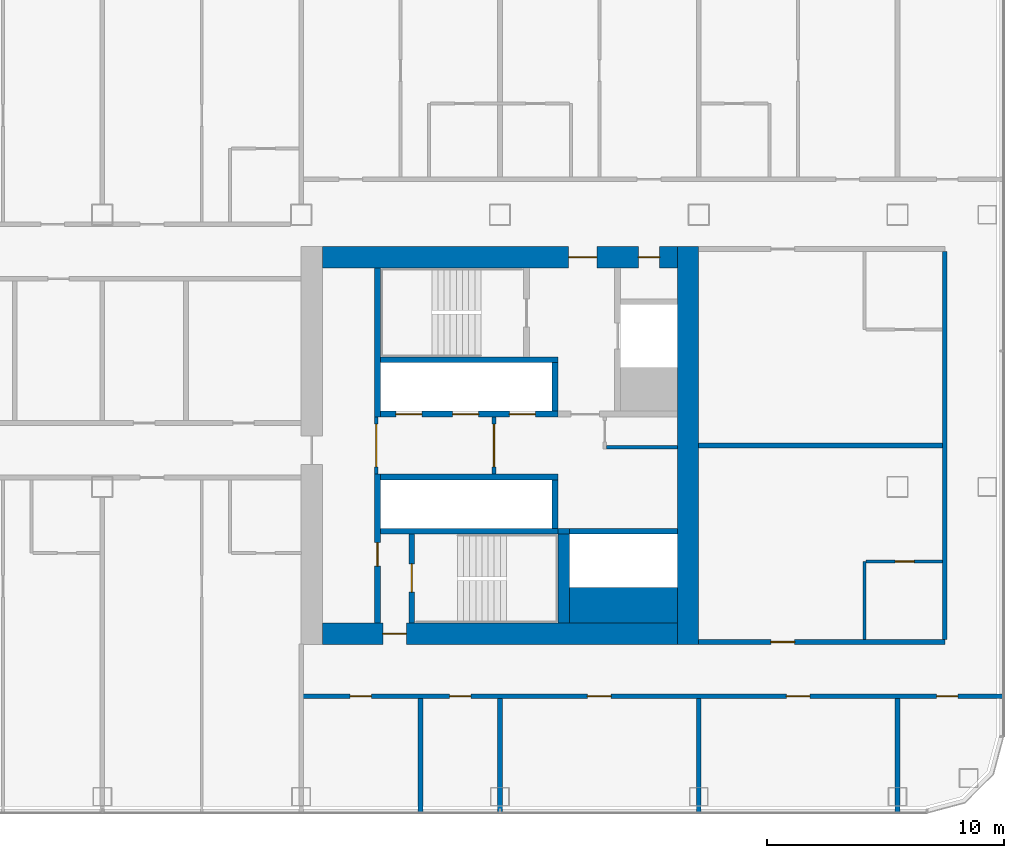
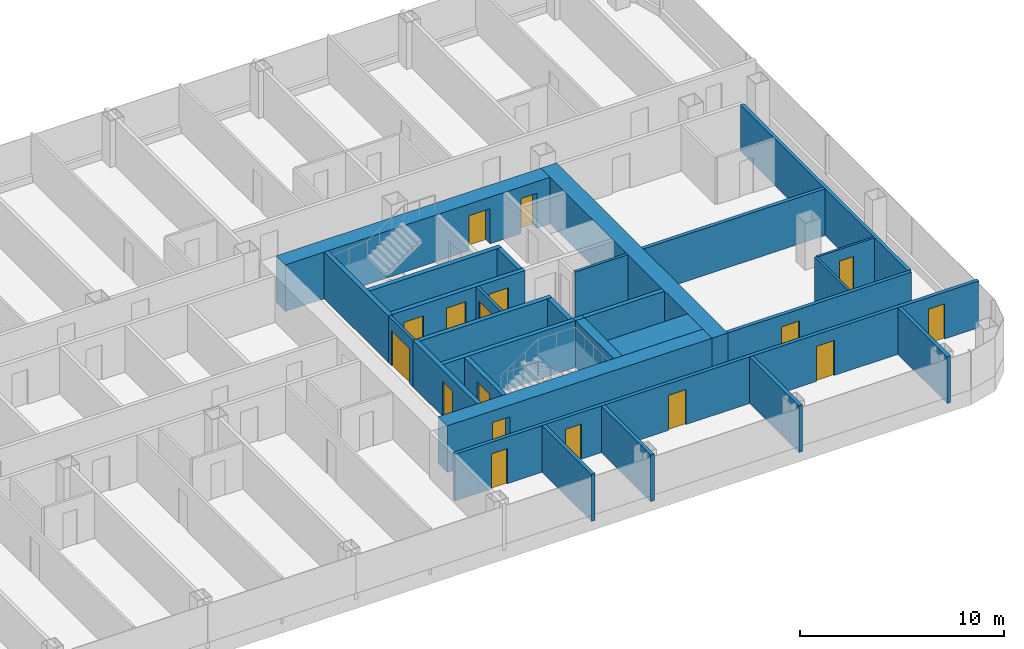
# One storey, part 19 of 29: 29 walls, 17 doors, 17 openings.
"""IFC4 building model written with IfcOpenShell, lengths in metres."""

from ifc_helpers import new_model, si_unit, direction, frame, frame_2d, origin, place, context, subcontext, project, spatial, rectangle, extrude, material, layer, layer_set, type_object, element, fill, save


model = new_model("IFC4")

# Units and contexts
model_context = context("Model", 3, precision=1e-05, world=origin(), true_north=direction((0.0, 1.0)))
body_context = subcontext(model_context, "Body", "Model", "MODEL_VIEW")
ifc_project = project(units=[si_unit("LENGTHUNIT", "METRE"), si_unit("AREAUNIT", "SQUARE_METRE"), si_unit("VOLUMEUNIT", "CUBIC_METRE"), si_unit("PLANEANGLEUNIT", "RADIAN"), si_unit("MASSUNIT", "GRAM", prefix="KILO")], contexts=[model_context])

# Site, building, storey
site_placement = place(None, origin())
site = spatial("IfcSite", under=ifc_project, at=site_placement, CompositionType="ELEMENT")
building_placement = place(site_placement, origin())
building = spatial("IfcBuilding", under=site, at=building_placement, Name="Hakoniwa Tower and Hamabe Station Hall", CompositionType="ELEMENT")
storey_placement = place(building_placement, frame((0.0, 0.0, 104.199951171875)))
storey = spatial("IfcBuildingStorey", under=building, at=storey_placement, Name="L29", CompositionType="ELEMENT", Elevation=104.199951171875)

# Wall, opening, door
ifc_material_1 = material(Name="Gypsum board partition", Category="gypsum")
ifc_layer_1 = layer(ifc_material_1, 0.125)
ifc_layer_set_1 = layer_set([ifc_layer_1], Name="Bathroom Partition 125")
wall_type_1 = type_object("IfcWallType", Name="Bathroom Partition 125", PredefinedType="PARTITIONING", material=ifc_layer_set_1)
wall_1_placement = place(storey_placement, frame((40.66259765625, -4.89990234375, 0.0), z_axis=(0.0, 0.0, 1.0), x_axis=(1.0, 0.0, 0.0)))
wall_1 = element("IfcWall", 1, at=wall_1_placement, inside=storey, type_object=wall_type_1, Name="GW-L29-006", PredefinedType="PARTITIONING", context=body_context, shape_type="SweptSolid", body=[
    extrude(rectangle(XDim=3.2373046875, YDim=0.125, at=frame_2d((1.61865234375, 0.0))), origin(), (0.0, 0.0, 1.0), 2.800048828125),
])
opening_1_placement = place(wall_1_placement, frame((1.237548828125, 0.0, 0.0)))
opening_1 = element("IfcOpeningElement", 2, at=opening_1_placement, cuts=wall_1, Name="Opening GD-G2E1-15", PredefinedType="OPENING", context=body_context, shape_type="SweptSolid", body=[
    extrude(rectangle(XDim=0.800048828125, YDim=2.10009765625, at=frame_2d((0.39990234375, 1.050048828125))), frame((0.0, 0.072509765625, 0.0), z_axis=(0.0, -1.0, 0.0), x_axis=(1.0, 0.0, 0.0)), (0.0, 0.0, 1.0), 0.14501953125),
])
ifc_material_2 = material(Name="Timber door leaf", Category="wood")
door_type_1 = type_object("IfcDoorType", Name="Bathroom Door 800", OperationType="SINGLE_SWING_LEFT", PredefinedType="DOOR", material=ifc_material_2)
door_1_placement = place(opening_1_placement, origin())
door_1 = element("IfcDoor", 3, at=door_1_placement, inside=storey, type_object=door_type_1, Name="Door GD-G2E1-15", OperationType="SINGLE_SWING_RIGHT", OverallHeight=2.10009765625, OverallWidth=0.800048828125, PredefinedType="DOOR", context=body_context, shape_type="SweptSolid", body=[
    extrude(rectangle(XDim=0.800048828125, YDim=2.10009765625, at=frame_2d((0.39990234375, 1.050048828125))), frame((0.0, 0.02490234375, 0.0), z_axis=(0.0, -1.0, 0.0), x_axis=(1.0, 0.0, 0.0)), (0.0, 0.0, 1.0), 0.050048828125),
])
fill(opening_1, door_1)

# Wall
wall_2_placement = place(storey_placement, frame((40.60009765625, -8.199951171875, 0.0), z_axis=(0.0, 0.0, 1.0), x_axis=(0.0, 1.0, 0.0)))
element("IfcWall", 4, at=wall_2_placement, inside=storey, type_object=wall_type_1, Name="GW-L29-087", PredefinedType="PARTITIONING", context=body_context, shape_type="SweptSolid", body=[
    extrude(rectangle(XDim=3.300048828125, YDim=0.125, at=frame_2d((1.64990234375, 0.0))), origin(), (0.0, 0.0, 1.0), 2.800048828125),
])

# Wall, opening, door
ifc_material_3 = material(Name="Gypsum board partition")
ifc_layer_2 = layer(ifc_material_3, 0.14990234375)
ifc_layer_set_2 = layer_set([ifc_layer_2], Name="CORE PARTITION 150 EI 60")
wall_type_2 = type_object("IfcWallType", Name="CORE PARTITION 150 EI 60", PredefinedType="PARTITIONING", material=ifc_layer_set_2)
wall_3_placement = place(storey_placement, frame((19.97509765625, -1.199951171875, 0.0), z_axis=(0.0, 0.0, 1.0), x_axis=(0.0, 1.0, 0.0)))
wall_3 = element("IfcWall", 5, at=wall_3_placement, inside=storey, type_object=wall_type_2, Name="Core partition PL0 east", PredefinedType="PARTITIONING", context=body_context, shape_type="SweptSolid", body=[
    extrude(rectangle(XDim=2.39990234375, YDim=0.14990234375, at=frame_2d((1.199951171875, 0.0))), origin(), (0.0, 0.0, 1.0), 2.800048828125),
])
opening_2_placement = place(wall_3_placement, frame((0.300048828125, 0.0, 0.0)))
opening_2 = element("IfcOpeningElement", 6, at=opening_2_placement, cuts=wall_3, Name="Opening CD-E-LP0-18", PredefinedType="OPENING", context=body_context, shape_type="SweptSolid", body=[
    extrude(rectangle(XDim=1.800048828125, YDim=2.10009765625, at=frame_2d((0.89990234375, 1.050048828125))), frame((0.0, 0.0849609375, 0.0), z_axis=(0.0, -1.0, 0.0), x_axis=(1.0, 0.0, 0.0)), (0.0, 0.0, 1.0), 0.169921875),
])
ifc_material_4 = material(Name="Steel fire door", Category="steel")
door_type_2 = type_object("IfcDoorType", Name="CORE DOOR 1800 FD60", OperationType="DOUBLE_DOOR_SINGLE_SWING", PredefinedType="DOOR", material=ifc_material_4)
door_2_placement = place(opening_2_placement, origin())
door_2 = element("IfcDoor", 7, at=door_2_placement, inside=storey, type_object=door_type_2, Name="Lift lobby partition door", OperationType="DOUBLE_DOOR_SINGLE_SWING", OverallHeight=2.10009765625, OverallWidth=1.800048828125, PredefinedType="DOOR", context=body_context, shape_type="SweptSolid", body=[
    extrude(rectangle(XDim=1.800048828125, YDim=2.10009765625, at=frame_2d((0.89990234375, 1.050048828125))), frame((0.0, 0.02490234375, 0.0), z_axis=(0.0, -1.0, 0.0), x_axis=(1.0, 0.0, 0.0)), (0.0, 0.0, 1.0), 0.050048828125),
])
fill(opening_2, door_2)

wall_4_placement = place(storey_placement, frame((24.949951171875, -1.199951171875, 0.0), z_axis=(0.0, 0.0, 1.0), x_axis=(0.0, 1.0, 0.0)))
wall_4 = element("IfcWall", 8, at=wall_4_placement, inside=storey, type_object=wall_type_2, Name="Core partition PL1 east", PredefinedType="PARTITIONING", context=body_context, shape_type="SweptSolid", body=[
    extrude(rectangle(XDim=2.39990234375, YDim=0.14990234375, at=frame_2d((1.199951171875, 0.0))), origin(), (0.0, 0.0, 1.0), 2.800048828125),
])
opening_3_placement = place(wall_4_placement, frame((0.300048828125, 0.0, 0.0)))
opening_3 = element("IfcOpeningElement", 9, at=opening_3_placement, cuts=wall_4, Name="Opening CD-E-LP1-18", PredefinedType="OPENING", context=body_context, shape_type="SweptSolid", body=[
    extrude(rectangle(XDim=1.800048828125, YDim=2.10009765625, at=frame_2d((0.89990234375, 1.050048828125))), frame((0.0, 0.0849609375, 0.0), z_axis=(0.0, -1.0, 0.0), x_axis=(1.0, 0.0, 0.0)), (0.0, 0.0, 1.0), 0.169921875),
])
door_3_placement = place(opening_3_placement, origin())
door_3 = element("IfcDoor", 10, at=door_3_placement, inside=storey, type_object=door_type_2, Name="Lift lobby partition door", OperationType="DOUBLE_DOOR_SINGLE_SWING", OverallHeight=2.10009765625, OverallWidth=1.800048828125, PredefinedType="DOOR", context=body_context, shape_type="SweptSolid", body=[
    extrude(rectangle(XDim=1.800048828125, YDim=2.10009765625, at=frame_2d((0.89990234375, 1.050048828125))), frame((0.0, 0.02490234375, 0.0), z_axis=(0.0, -1.0, 0.0), x_axis=(1.0, 0.0, 0.0)), (0.0, 0.0, 1.0), 0.050048828125),
])
fill(opening_3, door_3)

# Walls
wall_5_placement = place(storey_placement, frame((29.699951171875, -0.074951171875, 0.0), z_axis=(0.0, 0.0, 1.0), x_axis=(1.0, 0.0, 0.0)))
element("IfcWall", 11, at=wall_5_placement, inside=storey, type_object=wall_type_2, Name="Core partition PS east", PredefinedType="PARTITIONING", context=body_context, shape_type="SweptSolid", body=[
    extrude(rectangle(XDim=3.0, YDim=0.14990234375, at=frame_2d((1.5, 0.0))), origin(), (0.0, 0.0, 1.0), 2.800048828125),
])
ifc_material_5 = material(Name="Concrete C72", Category="concrete")
ifc_layer_3 = layer(ifc_material_5, 0.89990234375)
ifc_layer_set_3 = layer_set([ifc_layer_3], Name="CORE WALL 900 C72")
wall_type_3 = type_object("IfcWallType", Name="CORE WALL 900 C72", PredefinedType="SHEAR", material=ifc_layer_set_3)
wall_6_placement = place(storey_placement, frame((33.14990234375, -8.39990234375, 0.0), z_axis=(0.0, 0.0, 1.0), x_axis=(0.0, 1.0, 0.0)))
element("IfcWall", 12, at=wall_6_placement, inside=storey, type_object=wall_type_3, Name="Core wall OUTER east", PredefinedType="SHEAR", context=body_context, shape_type="SweptSolid", body=[
    extrude(rectangle(XDim=16.7998046875, YDim=0.89990234375, at=frame_2d((8.39990234375, 0.0))), origin(), (0.0, 0.0, 1.0), 2.800048828125),
])

# Wall, openings, doors
wall_7_placement = place(storey_placement, frame((17.699951171875, 7.949951171875, 0.0), z_axis=(0.0, 0.0, 1.0), x_axis=(1.0, 0.0, 0.0)))
wall_7 = element("IfcWall", 13, at=wall_7_placement, inside=storey, type_object=wall_type_3, Name="Core wall NORTH east", PredefinedType="SHEAR", context=body_context, shape_type="SweptSolid", body=[
    extrude(rectangle(XDim=15.0, YDim=0.89990234375, at=frame_2d((7.5, 0.0))), origin(), (0.0, 0.0, 1.0), 2.800048828125),
])
opening_4_placement = place(wall_7_placement, frame((10.39990234375, 0.0, 0.0)))
opening_4 = element("IfcOpeningElement", 14, at=opening_4_placement, cuts=wall_7, Name="Opening CD-E-FN1-12", PredefinedType="OPENING", context=body_context, shape_type="SweptSolid", body=[
    extrude(rectangle(XDim=1.199951171875, YDim=2.10009765625, at=frame_2d((0.60009765625, 1.050048828125))), frame((0.0, 0.4599609375, 0.0), z_axis=(0.0, -1.0, 0.0), x_axis=(1.0, 0.0, 0.0)), (0.0, 0.0, 1.0), 0.919921875),
])
opening_5_placement = place(wall_7_placement, frame((13.35009765625, 0.0, 0.0)))
opening_5 = element("IfcOpeningElement", 15, at=opening_5_placement, cuts=wall_7, Name="Opening CD-E-FN2-9", PredefinedType="OPENING", context=body_context, shape_type="SweptSolid", body=[
    extrude(rectangle(XDim=0.89990234375, YDim=2.10009765625, at=frame_2d((0.449951171875, 1.050048828125))), frame((0.0, 0.4599609375, 0.0), z_axis=(0.0, -1.0, 0.0), x_axis=(1.0, 0.0, 0.0)), (0.0, 0.0, 1.0), 0.919921875),
])
ifc_material_6 = material(Name="Steel fire door", Category="steel")
door_type_3 = type_object("IfcDoorType", Name="CORE DOOR 1200 FD60", OperationType="DOUBLE_DOOR_SINGLE_SWING", PredefinedType="DOOR", material=ifc_material_6)
door_4_placement = place(opening_4_placement, origin())
door_4 = element("IfcDoor", 16, at=door_4_placement, inside=storey, type_object=door_type_3, Name="Stair vestibule door to the fire-fighting lobby", OperationType="DOUBLE_DOOR_SINGLE_SWING", OverallHeight=2.10009765625, OverallWidth=1.199951171875, PredefinedType="DOOR", context=body_context, shape_type="SweptSolid", body=[
    extrude(rectangle(XDim=1.199951171875, YDim=2.10009765625, at=frame_2d((0.60009765625, 1.050048828125))), frame((0.0, 0.02490234375, 0.0), z_axis=(0.0, -1.0, 0.0), x_axis=(1.0, 0.0, 0.0)), (0.0, 0.0, 1.0), 0.050048828125),
])
fill(opening_4, door_4)
ifc_material_7 = material(Name="Steel fire door", Category="steel")
door_type_4 = type_object("IfcDoorType", Name="CORE DOOR 900 FD30", OperationType="NOTDEFINED", PredefinedType="DOOR", material=ifc_material_7)
door_5_placement = place(opening_5_placement, origin())
door_5 = element("IfcDoor", 17, at=door_5_placement, inside=storey, type_object=door_type_4, Name="Riser access door", OperationType="SINGLE_SWING_RIGHT", OverallHeight=2.10009765625, OverallWidth=0.89990234375, PredefinedType="DOOR", context=body_context, shape_type="SweptSolid", body=[
    extrude(rectangle(XDim=0.89990234375, YDim=2.10009765625, at=frame_2d((0.449951171875, 1.050048828125))), frame((0.0, 0.02490234375, 0.0), z_axis=(0.0, -1.0, 0.0), x_axis=(1.0, 0.0, 0.0)), (0.0, 0.0, 1.0), 0.050048828125),
])
fill(opening_5, door_5)

# Wall, opening, door
wall_8_placement = place(storey_placement, frame((17.699951171875, -7.949951171875, 0.0), z_axis=(0.0, 0.0, 1.0), x_axis=(1.0, 0.0, 0.0)))
wall_8 = element("IfcWall", 18, at=wall_8_placement, inside=storey, type_object=wall_type_3, Name="Core wall SOUTH east", PredefinedType="SHEAR", context=body_context, shape_type="SweptSolid", body=[
    extrude(rectangle(XDim=15.0, YDim=0.89990234375, at=frame_2d((7.5, 0.0))), origin(), (0.0, 0.0, 1.0), 2.800048828125),
])
opening_6_placement = place(wall_8_placement, frame((2.550048828125, 0.0, 0.0)))
opening_6 = element("IfcOpeningElement", 19, at=opening_6_placement, cuts=wall_8, Name="Opening CD-E-FS3-10", PredefinedType="OPENING", context=body_context, shape_type="SweptSolid", body=[
    extrude(rectangle(XDim=1.0, YDim=2.10009765625, at=frame_2d((0.5, 1.050048828125))), frame((0.0, 0.4599609375, 0.0), z_axis=(0.0, -1.0, 0.0), x_axis=(1.0, 0.0, 0.0)), (0.0, 0.0, 1.0), 0.919921875),
])
ifc_material_8 = material(Name="Steel fire door", Category="steel")
door_type_5 = type_object("IfcDoorType", Name="CORE DOOR 1000 FD60", OperationType="NOTDEFINED", PredefinedType="DOOR", material=ifc_material_8)
door_6_placement = place(opening_6_placement, origin())
door_6 = element("IfcDoor", 20, at=door_6_placement, inside=storey, type_object=door_type_5, Name="Stair vestibule door", OperationType="SINGLE_SWING_LEFT", OverallHeight=2.10009765625, OverallWidth=1.0, PredefinedType="DOOR", context=body_context, shape_type="SweptSolid", body=[
    extrude(rectangle(XDim=1.0, YDim=2.10009765625, at=frame_2d((0.5, 1.050048828125))), frame((0.0, 0.02490234375, 0.0), z_axis=(0.0, -1.0, 0.0), x_axis=(1.0, 0.0, 0.0)), (0.0, 0.0, 1.0), 0.050048828125),
])
fill(opening_6, door_6)

# Walls
ifc_material_9 = material(Name="Concrete C72", Category="concrete")
ifc_layer_4 = layer(ifc_material_9, 1.5)
ifc_layer_set_4 = layer_set([ifc_layer_4], Name="CORE WEB WALL 1500 C72")
wall_type_4 = type_object("IfcWallType", Name="CORE WEB WALL 1500 C72", PredefinedType="SHEAR", material=ifc_layer_set_4)
wall_9_placement = place(storey_placement, frame((28.14990234375, -6.75, 0.0), z_axis=(0.0, 0.0, 1.0), x_axis=(1.0, 0.0, 0.0)))
element("IfcWall", 21, at=wall_9_placement, inside=storey, type_object=wall_type_4, Name="Core wall SER east", PredefinedType="SHEAR", context=body_context, shape_type="SweptSolid", body=[
    extrude(rectangle(XDim=4.550048828125, YDim=1.5, at=frame_2d((2.27490234375, 0.0))), origin(), (0.0, 0.0, 1.0), 2.800048828125),
])
ifc_material_10 = material(Name="Concrete C72", Category="concrete")
ifc_layer_5 = layer(ifc_material_10, 0.25)
ifc_layer_set_5 = layer_set([ifc_layer_5], Name="CORE WEB WALL 250 C72")
wall_type_5 = type_object("IfcWallType", Name="CORE WEB WALL 250 C72", PredefinedType="SHEAR", material=ifc_layer_set_5)
wall_10_placement = place(storey_placement, frame((20.02490234375, 1.199951171875, 0.0), z_axis=(0.0, 0.0, 1.0), x_axis=(0.0, 1.0, 0.0)))
element("IfcWall", 22, at=wall_10_placement, inside=storey, type_object=wall_type_5, Name="Core wall W1N east", PredefinedType="SHEAR", context=body_context, shape_type="SweptSolid", body=[
    extrude(rectangle(XDim=6.300048828125, YDim=0.25, at=frame_2d((3.14990234375, 0.0))), origin(), (0.0, 0.0, 1.0), 2.800048828125),
])

# Wall, opening, door
wall_11_placement = place(storey_placement, frame((20.02490234375, -7.5, 0.0), z_axis=(0.0, 0.0, 1.0), x_axis=(0.0, 1.0, 0.0)))
wall_11 = element("IfcWall", 23, at=wall_11_placement, inside=storey, type_object=wall_type_5, Name="Core wall W1S east", PredefinedType="SHEAR", context=body_context, shape_type="SweptSolid", body=[
    extrude(rectangle(XDim=6.300048828125, YDim=0.25, at=frame_2d((3.14990234375, 0.0))), origin(), (0.0, 0.0, 1.0), 2.800048828125),
])
opening_7_placement = place(wall_11_placement, frame((2.39990234375, 0.0, 0.0)))
opening_7 = element("IfcOpeningElement", 24, at=opening_7_placement, cuts=wall_11, Name="Opening CD-E-VS-10", PredefinedType="OPENING", context=body_context, shape_type="SweptSolid", body=[
    extrude(rectangle(XDim=1.0, YDim=2.10009765625, at=frame_2d((0.5, 1.050048828125))), frame((0.0, 0.135009765625, 0.0), z_axis=(0.0, -1.0, 0.0), x_axis=(1.0, 0.0, 0.0)), (0.0, 0.0, 1.0), 0.27001953125),
])
door_7_placement = place(opening_7_placement, origin())
door_7 = element("IfcDoor", 25, at=door_7_placement, inside=storey, type_object=door_type_5, Name="Stair vestibule door", OperationType="SINGLE_SWING_RIGHT", OverallHeight=2.10009765625, OverallWidth=1.0, PredefinedType="DOOR", context=body_context, shape_type="SweptSolid", body=[
    extrude(rectangle(XDim=1.0, YDim=2.10009765625, at=frame_2d((0.5, 1.050048828125))), frame((0.0, 0.02490234375, 0.0), z_axis=(0.0, -1.0, 0.0), x_axis=(1.0, 0.0, 0.0)), (0.0, 0.0, 1.0), 0.050048828125),
])
fill(opening_7, door_7)

# Wall, openings, doors
wall_12_placement = place(storey_placement, frame((20.14990234375, 1.324951171875, 0.0), z_axis=(0.0, 0.0, 1.0), x_axis=(1.0, 0.0, 0.0)))
wall_12 = element("IfcWall", 26, at=wall_12_placement, inside=storey, type_object=wall_type_5, Name="Core wall NF east", PredefinedType="SHEAR", context=body_context, shape_type="SweptSolid", body=[
    extrude(rectangle(XDim=7.5, YDim=0.25, at=frame_2d((3.75, 0.0))), origin(), (0.0, 0.0, 1.0), 2.800048828125),
])
opening_8_placement = place(wall_12_placement, frame((0.64990234375, 0.0, 0.0)))
opening_8 = element("IfcOpeningElement", 27, at=opening_8_placement, cuts=wall_12, Name="Opening LD-LR4", PredefinedType="OPENING", context=body_context, shape_type="SweptSolid", body=[
    extrude(rectangle(XDim=1.10009765625, YDim=2.10009765625, at=frame_2d((0.550048828125, 1.050048828125))), frame((0.0, 0.135009765625, 0.0), z_axis=(0.0, -1.0, 0.0), x_axis=(1.0, 0.0, 0.0)), (0.0, 0.0, 1.0), 0.27001953125),
])
opening_9_placement = place(wall_12_placement, frame((3.050048828125, 0.0, 0.0)))
opening_9 = element("IfcOpeningElement", 28, at=opening_9_placement, cuts=wall_12, Name="Opening LD-LR5", PredefinedType="OPENING", context=body_context, shape_type="SweptSolid", body=[
    extrude(rectangle(XDim=1.10009765625, YDim=2.10009765625, at=frame_2d((0.550048828125, 1.050048828125))), frame((0.0, 0.135009765625, 0.0), z_axis=(0.0, -1.0, 0.0), x_axis=(1.0, 0.0, 0.0)), (0.0, 0.0, 1.0), 0.27001953125),
])
opening_10_placement = place(wall_12_placement, frame((5.449951171875, 0.0, 0.0)))
opening_10 = element("IfcOpeningElement", 29, at=opening_10_placement, cuts=wall_12, Name="Opening LD-LR6", PredefinedType="OPENING", context=body_context, shape_type="SweptSolid", body=[
    extrude(rectangle(XDim=1.10009765625, YDim=2.10009765625, at=frame_2d((0.550048828125, 1.050048828125))), frame((0.0, 0.135009765625, 0.0), z_axis=(0.0, -1.0, 0.0), x_axis=(1.0, 0.0, 0.0)), (0.0, 0.0, 1.0), 0.27001953125),
])
ifc_material_11 = material(Name="Stainless steel SUS304", Category="steel")
door_type_6 = type_object("IfcDoorType", Name="LIFT LANDING DOOR 1100 FD60", OperationType="DOUBLE_DOOR_SLIDING", PredefinedType="DOOR", material=ifc_material_11)
door_8_placement = place(opening_8_placement, origin())
door_8 = element("IfcDoor", 30, at=door_8_placement, inside=storey, type_object=door_type_6, Name="Lift landing door LR4 L29", OperationType="DOUBLE_DOOR_SLIDING", OverallHeight=2.10009765625, OverallWidth=1.10009765625, PredefinedType="DOOR", context=body_context, shape_type="SweptSolid", body=[
    extrude(rectangle(XDim=1.10009765625, YDim=2.10009765625, at=frame_2d((0.550048828125, 1.050048828125))), frame((0.0, 0.02490234375, 0.0), z_axis=(0.0, -1.0, 0.0), x_axis=(1.0, 0.0, 0.0)), (0.0, 0.0, 1.0), 0.050048828125),
])
fill(opening_8, door_8)
door_9_placement = place(opening_9_placement, origin())
door_9 = element("IfcDoor", 31, at=door_9_placement, inside=storey, type_object=door_type_6, Name="Lift landing door LR5 L29", OperationType="DOUBLE_DOOR_SLIDING", OverallHeight=2.10009765625, OverallWidth=1.10009765625, PredefinedType="DOOR", context=body_context, shape_type="SweptSolid", body=[
    extrude(rectangle(XDim=1.10009765625, YDim=2.10009765625, at=frame_2d((0.550048828125, 1.050048828125))), frame((0.0, 0.02490234375, 0.0), z_axis=(0.0, -1.0, 0.0), x_axis=(1.0, 0.0, 0.0)), (0.0, 0.0, 1.0), 0.050048828125),
])
fill(opening_9, door_9)
door_10_placement = place(opening_10_placement, origin())
door_10 = element("IfcDoor", 32, at=door_10_placement, inside=storey, type_object=door_type_6, Name="Lift landing door LR6 L29", OperationType="DOUBLE_DOOR_SLIDING", OverallHeight=2.10009765625, OverallWidth=1.10009765625, PredefinedType="DOOR", context=body_context, shape_type="SweptSolid", body=[
    extrude(rectangle(XDim=1.10009765625, YDim=2.10009765625, at=frame_2d((0.550048828125, 1.050048828125))), frame((0.0, 0.02490234375, 0.0), z_axis=(0.0, -1.0, 0.0), x_axis=(1.0, 0.0, 0.0)), (0.0, 0.0, 1.0), 0.050048828125),
])
fill(opening_10, door_10)

# Walls
wall_13_placement = place(storey_placement, frame((27.52490234375, 1.449951171875, 0.0), z_axis=(0.0, 0.0, 1.0), x_axis=(0.0, 1.0, 0.0)))
element("IfcWall", 33, at=wall_13_placement, inside=storey, type_object=wall_type_5, Name="Core wall NE east", PredefinedType="SHEAR", context=body_context, shape_type="SweptSolid", body=[
    extrude(rectangle(XDim=2.050048828125, YDim=0.25, at=frame_2d((1.02490234375, 0.0))), origin(), (0.0, 0.0, 1.0), 2.800048828125),
])
for number, where, z_axis, x_axis, name in (
    (34, (20.14990234375, 3.625, 0.0), (0.0, 0.0, 1.0), (1.0, 0.0, 0.0), "Core wall NR east"),
    (35, (20.14990234375, -1.324951171875, 0.0), (0.0, 0.0, 1.0), (1.0, 0.0, 0.0), "Core wall SF east"),
):
    element("IfcWall", number, at=place(storey_placement, frame(where, z_axis=z_axis, x_axis=x_axis)), inside=storey, type_object=wall_type_5, Name=name, PredefinedType="SHEAR", context=body_context, shape_type="SweptSolid", body=[
        extrude(rectangle(XDim=7.5, YDim=0.25, at=frame_2d((3.75, 0.0))), origin(), (0.0, 0.0, 1.0), 2.800048828125),
    ])
wall_14_placement = place(storey_placement, frame((27.52490234375, -3.5, 0.0), z_axis=(0.0, 0.0, 1.0), x_axis=(0.0, 1.0, 0.0)))
element("IfcWall", 36, at=wall_14_placement, inside=storey, type_object=wall_type_5, Name="Core wall SE east", PredefinedType="SHEAR", context=body_context, shape_type="SweptSolid", body=[
    extrude(rectangle(XDim=2.050048828125, YDim=0.25, at=frame_2d((1.02490234375, 0.0))), origin(), (0.0, 0.0, 1.0), 2.800048828125),
])
wall_15_placement = place(storey_placement, frame((20.14990234375, -3.625, 0.0), z_axis=(0.0, 0.0, 1.0), x_axis=(1.0, 0.0, 0.0)))
element("IfcWall", 37, at=wall_15_placement, inside=storey, type_object=wall_type_5, Name="Core wall SR east", PredefinedType="SHEAR", context=body_context, shape_type="SweptSolid", body=[
    extrude(rectangle(XDim=7.5, YDim=0.25, at=frame_2d((3.75, 0.0))), origin(), (0.0, 0.0, 1.0), 2.800048828125),
])

# Wall, opening, door
wall_16_placement = place(storey_placement, frame((21.47509765625, -7.5, 0.0), z_axis=(0.0, 0.0, 1.0), x_axis=(0.0, 1.0, 0.0)))
wall_16 = element("IfcWall", 38, at=wall_16_placement, inside=storey, type_object=wall_type_5, Name="Core wall VE east", PredefinedType="SHEAR", context=body_context, shape_type="SweptSolid", body=[
    extrude(rectangle(XDim=3.75, YDim=0.25, at=frame_2d((1.875, 0.0))), origin(), (0.0, 0.0, 1.0), 2.800048828125),
])
opening_11_placement = place(wall_16_placement, frame((1.300048828125, 0.0, 0.0)))
opening_11 = element("IfcOpeningElement", 39, at=opening_11_placement, cuts=wall_16, Name="Opening CD-E-SS-12", PredefinedType="OPENING", context=body_context, shape_type="SweptSolid", body=[
    extrude(rectangle(XDim=1.199951171875, YDim=2.10009765625, at=frame_2d((0.60009765625, 1.050048828125))), frame((0.0, 0.135009765625, 0.0), z_axis=(0.0, -1.0, 0.0), x_axis=(1.0, 0.0, 0.0)), (0.0, 0.0, 1.0), 0.27001953125),
])
door_11_placement = place(opening_11_placement, origin())
door_11 = element("IfcDoor", 40, at=door_11_placement, inside=storey, type_object=door_type_3, Name="Escape stair door", OperationType="DOUBLE_DOOR_SINGLE_SWING", OverallHeight=2.10009765625, OverallWidth=1.199951171875, PredefinedType="DOOR", context=body_context, shape_type="SweptSolid", body=[
    extrude(rectangle(XDim=1.199951171875, YDim=2.10009765625, at=frame_2d((0.60009765625, 1.050048828125))), frame((0.0, 0.02490234375, 0.0), z_axis=(0.0, -1.0, 0.0), x_axis=(1.0, 0.0, 0.0)), (0.0, 0.0, 1.0), 0.050048828125),
])
fill(opening_11, door_11)

# Walls
wall_17_placement = place(storey_placement, frame((28.14990234375, -3.625, 0.0), z_axis=(0.0, 0.0, 1.0), x_axis=(1.0, 0.0, 0.0)))
element("IfcWall", 41, at=wall_17_placement, inside=storey, type_object=wall_type_5, Name="Core wall SEF east", PredefinedType="SHEAR", context=body_context, shape_type="SweptSolid", body=[
    extrude(rectangle(XDim=4.550048828125, YDim=0.25, at=frame_2d((2.27490234375, 0.0))), origin(), (0.0, 0.0, 1.0), 2.800048828125),
])
wall_18_placement = place(storey_placement, frame((27.64990234375, -3.625, 0.0), z_axis=(0.0, 0.0, 1.0), x_axis=(1.0, 0.0, 0.0)))
element("IfcWall", 42, at=wall_18_placement, inside=storey, type_object=wall_type_5, Name="Core wall SRK east", PredefinedType="SHEAR", context=body_context, shape_type="SweptSolid", body=[
    extrude(rectangle(XDim=0.5, YDim=0.25, at=frame_2d((0.25, 0.0))), origin(), (0.0, 0.0, 1.0), 2.800048828125),
])
ifc_material_12 = material(Name="Concrete C72", Category="concrete")
ifc_layer_6 = layer(ifc_material_12, 0.5)
ifc_layer_set_6 = layer_set([ifc_layer_6], Name="CORE WEB WALL 500 C72")
wall_type_6 = type_object("IfcWallType", Name="CORE WEB WALL 500 C72", PredefinedType="SHEAR", material=ifc_layer_set_6)
wall_19_placement = place(storey_placement, frame((27.89990234375, -7.5, 0.0), z_axis=(0.0, 0.0, 1.0), x_axis=(0.0, 1.0, 0.0)))
element("IfcWall", 43, at=wall_19_placement, inside=storey, type_object=wall_type_6, Name="Core wall SSE east", PredefinedType="SHEAR", context=body_context, shape_type="SweptSolid", body=[
    extrude(rectangle(XDim=3.75, YDim=0.5, at=frame_2d((1.875, 0.0))), origin(), (0.0, 0.0, 1.0), 2.800048828125),
])

# Wall, openings, doors
ifc_material_13 = material(Name="Fire-rated gypsum board partition", Category="gypsum")
ifc_layer_7 = layer(ifc_material_13, 0.199951171875)
ifc_layer_set_7 = layer_set([ifc_layer_7], Name="Corridor Wall 200")
wall_type_7 = type_object("IfcWallType", Name="Corridor Wall 200", PredefinedType="PARTITIONING", material=ifc_layer_set_7)
wall_20_placement = place(storey_placement, frame((16.800048828125, -10.60009765625, 0.0), z_axis=(0.0, 0.0, 1.0), x_axis=(1.0, 0.0, 0.0)))
wall_20 = element("IfcWall", 44, at=wall_20_placement, inside=storey, type_object=wall_type_7, Name="GW-L29-002", PredefinedType="PARTITIONING", context=body_context, shape_type="SweptSolid", body=[
    extrude(rectangle(XDim=29.699951171875, YDim=0.199951171875, at=frame_2d((14.85009765625, 0.0))), origin(), (0.0, 0.0, 1.0), 2.800048828125),
])
opening_12_placement = place(wall_20_placement, frame((2.070068359375, 0.0, 0.0)))
opening_12 = element("IfcOpeningElement", 45, at=opening_12_placement, cuts=wall_20, Name="Opening GD-G2E1-07", PredefinedType="OPENING", context=body_context, shape_type="SweptSolid", body=[
    extrude(rectangle(XDim=0.89990234375, YDim=2.10009765625, at=frame_2d((0.449951171875, 1.050048828125))), frame((0.0, 0.10986328125, 0.0), z_axis=(0.0, -1.0, 0.0), x_axis=(1.0, 0.0, 0.0)), (0.0, 0.0, 1.0), 0.219970703125),
])
opening_13_placement = place(wall_20_placement, frame((6.27001953125, 0.0, 0.0)))
opening_13 = element("IfcOpeningElement", 46, at=opening_13_placement, cuts=wall_20, Name="Opening GD-G2E1-08", PredefinedType="OPENING", context=body_context, shape_type="SweptSolid", body=[
    extrude(rectangle(XDim=0.89990234375, YDim=2.10009765625, at=frame_2d((0.449951171875, 1.050048828125))), frame((0.0, 0.10986328125, 0.0), z_axis=(0.0, -1.0, 0.0), x_axis=(1.0, 0.0, 0.0)), (0.0, 0.0, 1.0), 0.219970703125),
])
opening_14_placement = place(wall_20_placement, frame((12.10009765625, 0.0, 0.0)))
opening_14 = element("IfcOpeningElement", 47, at=opening_14_placement, cuts=wall_20, Name="Opening GD-G2E1-09", PredefinedType="OPENING", context=body_context, shape_type="SweptSolid", body=[
    extrude(rectangle(XDim=1.0, YDim=2.10009765625, at=frame_2d((0.5, 1.050048828125))), frame((0.0, 0.10986328125, 0.0), z_axis=(0.0, -1.0, 0.0), x_axis=(1.0, 0.0, 0.0)), (0.0, 0.0, 1.0), 0.219970703125),
])
opening_15_placement = place(wall_20_placement, frame((20.5, 0.0, 0.0)))
opening_15 = element("IfcOpeningElement", 48, at=opening_15_placement, cuts=wall_20, Name="Opening GD-G2E1-10", PredefinedType="OPENING", context=body_context, shape_type="SweptSolid", body=[
    extrude(rectangle(XDim=1.0, YDim=2.10009765625, at=frame_2d((0.5, 1.050048828125))), frame((0.0, 0.10986328125, 0.0), z_axis=(0.0, -1.0, 0.0), x_axis=(1.0, 0.0, 0.0)), (0.0, 0.0, 1.0), 0.219970703125),
])
opening_16_placement = place(wall_20_placement, frame((26.85009765625, 0.0, 0.0)))
opening_16 = element("IfcOpeningElement", 49, at=opening_16_placement, cuts=wall_20, Name="Opening GD-G2E1-11", PredefinedType="OPENING", context=body_context, shape_type="SweptSolid", body=[
    extrude(rectangle(XDim=0.89990234375, YDim=2.10009765625, at=frame_2d((0.449951171875, 1.050048828125))), frame((0.0, 0.10986328125, 0.0), z_axis=(0.0, -1.0, 0.0), x_axis=(1.0, 0.0, 0.0)), (0.0, 0.0, 1.0), 0.219970703125),
])
ifc_material_14 = material(Name="Timber door leaf", Category="wood")
door_type_7 = type_object("IfcDoorType", Name="Guest Entrance Door 1000", OperationType="SINGLE_SWING_LEFT", PredefinedType="DOOR", material=ifc_material_14)
door_12_placement = place(opening_14_placement, origin())
door_12 = element("IfcDoor", 50, at=door_12_placement, inside=storey, type_object=door_type_7, Name="Door GD-G2E1-09", OperationType="SINGLE_SWING_LEFT", OverallHeight=2.10009765625, OverallWidth=1.0, PredefinedType="DOOR", context=body_context, shape_type="SweptSolid", body=[
    extrude(rectangle(XDim=1.0, YDim=2.10009765625, at=frame_2d((0.5, 1.050048828125))), frame((0.0, 0.02490234375, 0.0), z_axis=(0.0, -1.0, 0.0), x_axis=(1.0, 0.0, 0.0)), (0.0, 0.0, 1.0), 0.050048828125),
])
fill(opening_14, door_12)
door_13_placement = place(opening_15_placement, origin())
door_13 = element("IfcDoor", 51, at=door_13_placement, inside=storey, type_object=door_type_7, Name="Door GD-G2E1-10", OperationType="SINGLE_SWING_LEFT", OverallHeight=2.10009765625, OverallWidth=1.0, PredefinedType="DOOR", context=body_context, shape_type="SweptSolid", body=[
    extrude(rectangle(XDim=1.0, YDim=2.10009765625, at=frame_2d((0.5, 1.050048828125))), frame((0.0, 0.02490234375, 0.0), z_axis=(0.0, -1.0, 0.0), x_axis=(1.0, 0.0, 0.0)), (0.0, 0.0, 1.0), 0.050048828125),
])
fill(opening_15, door_13)
ifc_material_15 = material(Name="Timber door leaf", Category="wood")
door_type_8 = type_object("IfcDoorType", Name="Service Door 900", OperationType="SINGLE_SWING_LEFT", PredefinedType="DOOR", material=ifc_material_15)
door_14_placement = place(opening_12_placement, origin())
door_14 = element("IfcDoor", 52, at=door_14_placement, inside=storey, type_object=door_type_8, Name="Door GD-G2E1-07", OperationType="SINGLE_SWING_LEFT", OverallHeight=2.10009765625, OverallWidth=0.89990234375, PredefinedType="DOOR", context=body_context, shape_type="SweptSolid", body=[
    extrude(rectangle(XDim=0.89990234375, YDim=2.10009765625, at=frame_2d((0.449951171875, 1.050048828125))), frame((0.0, 0.02490234375, 0.0), z_axis=(0.0, -1.0, 0.0), x_axis=(1.0, 0.0, 0.0)), (0.0, 0.0, 1.0), 0.050048828125),
])
fill(opening_12, door_14)
door_15_placement = place(opening_13_placement, origin())
door_15 = element("IfcDoor", 53, at=door_15_placement, inside=storey, type_object=door_type_8, Name="Door GD-G2E1-08", OperationType="SINGLE_SWING_RIGHT", OverallHeight=2.10009765625, OverallWidth=0.89990234375, PredefinedType="DOOR", context=body_context, shape_type="SweptSolid", body=[
    extrude(rectangle(XDim=0.89990234375, YDim=2.10009765625, at=frame_2d((0.449951171875, 1.050048828125))), frame((0.0, 0.02490234375, 0.0), z_axis=(0.0, -1.0, 0.0), x_axis=(1.0, 0.0, 0.0)), (0.0, 0.0, 1.0), 0.050048828125),
])
fill(opening_13, door_15)
door_16_placement = place(opening_16_placement, origin())
door_16 = element("IfcDoor", 54, at=door_16_placement, inside=storey, type_object=door_type_8, Name="Door GD-G2E1-11", OperationType="SINGLE_SWING_LEFT", OverallHeight=2.10009765625, OverallWidth=0.89990234375, PredefinedType="DOOR", context=body_context, shape_type="SweptSolid", body=[
    extrude(rectangle(XDim=0.89990234375, YDim=2.10009765625, at=frame_2d((0.449951171875, 1.050048828125))), frame((0.0, 0.02490234375, 0.0), z_axis=(0.0, -1.0, 0.0), x_axis=(1.0, 0.0, 0.0)), (0.0, 0.0, 1.0), 0.050048828125),
])
fill(opening_16, door_16)

# Wall, opening, door
wall_21_placement = place(storey_placement, frame((33.60009765625, -8.300048828125, 0.0), z_axis=(0.0, 0.0, 1.0), x_axis=(1.0, 0.0, 0.0)))
wall_21 = element("IfcWall", 55, at=wall_21_placement, inside=storey, type_object=wall_type_7, Name="GW-L29-004", PredefinedType="PARTITIONING", context=body_context, shape_type="SweptSolid", body=[
    extrude(rectangle(XDim=10.39990234375, YDim=0.199951171875, at=frame_2d((5.199951171875, 0.0))), origin(), (0.0, 0.0, 1.0), 2.800048828125),
])
opening_17_placement = place(wall_21_placement, frame((3.050048828125, 0.0, 0.0)))
opening_17 = element("IfcOpeningElement", 56, at=opening_17_placement, cuts=wall_21, Name="Opening GD-G2E1-13", PredefinedType="OPENING", context=body_context, shape_type="SweptSolid", body=[
    extrude(rectangle(XDim=1.0, YDim=2.10009765625, at=frame_2d((0.5, 1.050048828125))), frame((0.0, 0.10986328125, 0.0), z_axis=(0.0, -1.0, 0.0), x_axis=(1.0, 0.0, 0.0)), (0.0, 0.0, 1.0), 0.219970703125),
])
door_17_placement = place(opening_17_placement, origin())
door_17 = element("IfcDoor", 57, at=door_17_placement, inside=storey, type_object=door_type_7, Name="Door GD-G2E1-13", OperationType="SINGLE_SWING_LEFT", OverallHeight=2.10009765625, OverallWidth=1.0, PredefinedType="DOOR", context=body_context, shape_type="SweptSolid", body=[
    extrude(rectangle(XDim=1.0, YDim=2.10009765625, at=frame_2d((0.5, 1.050048828125))), frame((0.0, 0.02490234375, 0.0), z_axis=(0.0, -1.0, 0.0), x_axis=(1.0, 0.0, 0.0)), (0.0, 0.0, 1.0), 0.050048828125),
])
fill(opening_17, door_17)

# Walls
ifc_material_16 = material(Name="Fire-rated gypsum board partition", Category="gypsum")
ifc_layer_8 = layer(ifc_material_16, 0.199951171875)
ifc_layer_set_8 = layer_set([ifc_layer_8], Name="Party Wall 200")
wall_type_8 = type_object("IfcWallType", Name="Party Wall 200", PredefinedType="PARTITIONING", material=ifc_layer_set_8)
wall_22_placement = place(storey_placement, frame((33.60009765625, 0.0, 0.0), z_axis=(0.0, 0.0, 1.0), x_axis=(1.0, 0.0, 0.0)))
element("IfcWall", 58, at=wall_22_placement, inside=storey, type_object=wall_type_8, Name="GW-L29-013", PredefinedType="PARTITIONING", context=body_context, shape_type="SweptSolid", body=[
    extrude(rectangle(XDim=10.2998046875, YDim=0.199951171875, at=frame_2d((5.14990234375, 0.0))), origin(), (0.0, 0.0, 1.0), 2.800048828125),
])
for number, where, z_axis, x_axis, name in (
    (59, (21.840087890625, -15.550048828125, 0.0), (0.0, 0.0, 1.0), (0.0, 1.0, 0.0), "GW-L29-077"),
    (60, (25.199951171875, -15.550048828125, 0.0), (0.0, 0.0, 1.0), (0.0, 1.0, 0.0), "GW-L29-079"),
    (61, (33.60009765625, -15.550048828125, 0.0), (0.0, 0.0, 1.0), (0.0, 1.0, 0.0), "GW-L29-083"),
    (62, (42.0, -15.550048828125, 0.0), (0.0, 0.0, 1.0), (0.0, 1.0, 0.0), "GW-L29-089"),
):
    element("IfcWall", number, at=place(storey_placement, frame(where, z_axis=z_axis, x_axis=x_axis)), inside=storey, type_object=wall_type_8, Name=name, PredefinedType="PARTITIONING", context=body_context, shape_type="SweptSolid", body=[
        extrude(rectangle(XDim=4.85009765625, YDim=0.199951171875, at=frame_2d((2.425048828125, 0.0))), origin(), (0.0, 0.0, 1.0), 2.800048828125),
    ])
wall_23_placement = place(storey_placement, frame((44.0, -8.199951171875, 0.0), z_axis=(0.0, 0.0, 1.0), x_axis=(0.0, 1.0, 0.0)))
element("IfcWall", 63, at=wall_23_placement, inside=storey, type_object=wall_type_8, Name="GW-L29-091", PredefinedType="PARTITIONING", context=body_context, shape_type="SweptSolid", body=[
    extrude(rectangle(XDim=16.39990234375, YDim=0.199951171875, at=frame_2d((8.199951171875, 0.0))), origin(), (0.0, 0.0, 1.0), 2.800048828125),
])

save(model, "model.ifc")
